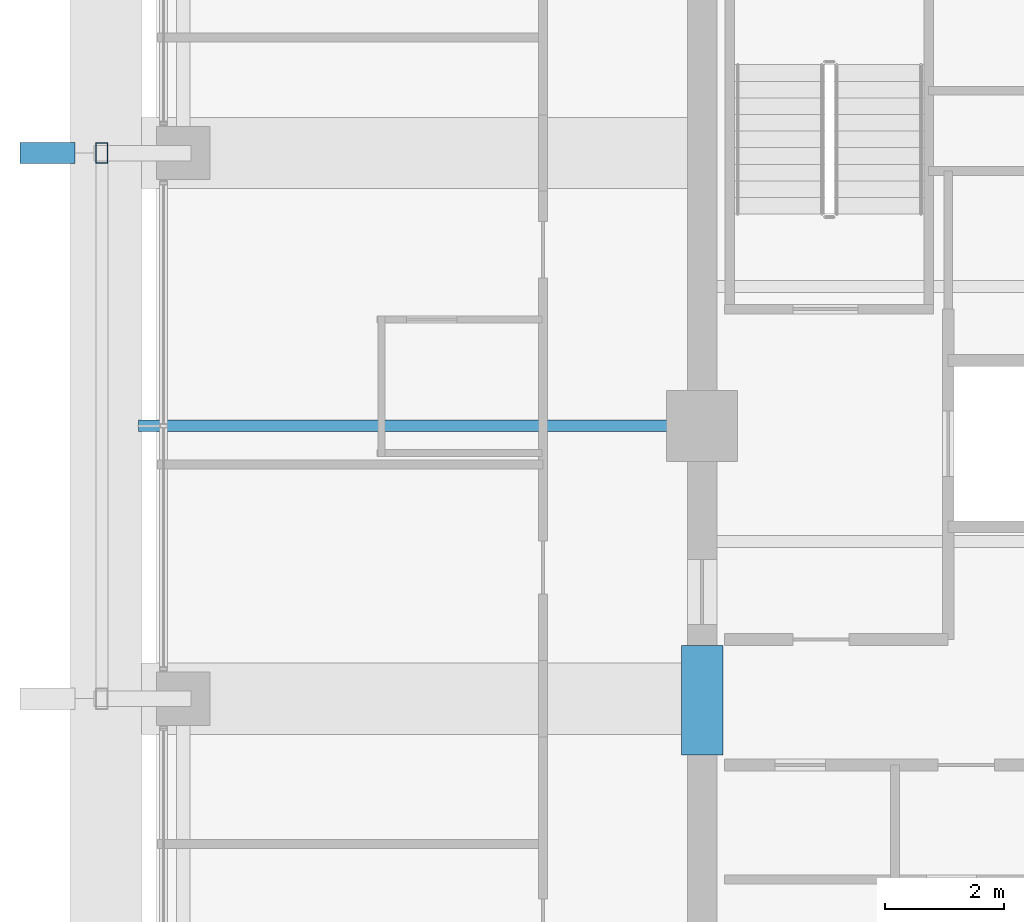
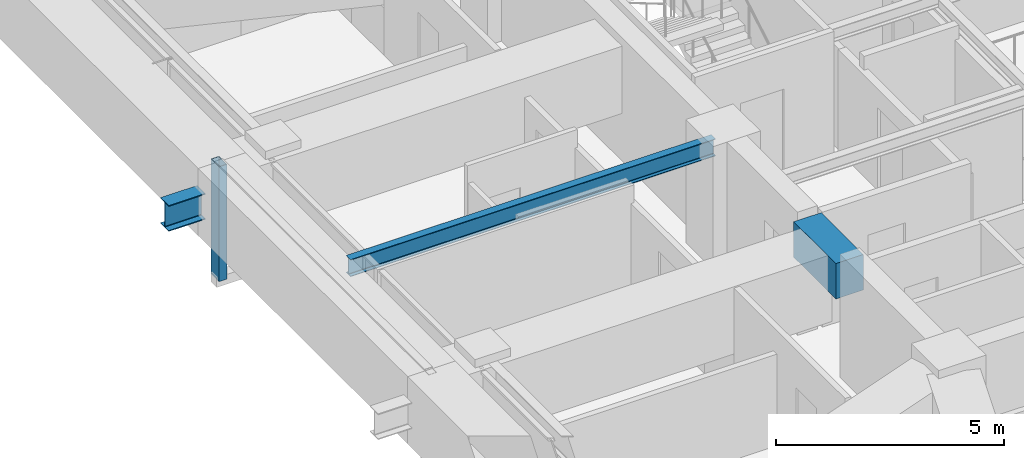
# One storey, part 11 of 40: 3 beams, 1 member.
"""IFC4 building model written with IfcOpenShell, lengths in metres."""

from ifc_helpers import new_model, si_unit, direction, frame, origin, origin_2d, place, context, subcontext, project, spatial, rectangle, hollow_rectangle, i_section, extrude, material, material_profile, profile_set, type_object, element, save


model = new_model("IFC4")

# Units and contexts
model_context = context("Model", 3, precision=1e-05, world=origin(), true_north=direction((0.0, 1.0)))
body_context = subcontext(model_context, "Body", "Model", "MODEL_VIEW")
ifc_project = project(units=[si_unit("LENGTHUNIT", "METRE"), si_unit("AREAUNIT", "SQUARE_METRE"), si_unit("VOLUMEUNIT", "CUBIC_METRE"), si_unit("PLANEANGLEUNIT", "RADIAN"), si_unit("MASSUNIT", "GRAM", prefix="KILO")], contexts=[model_context])

# Site, building, storey
site_placement = place(None, origin())
site = spatial("IfcSite", under=ifc_project, at=site_placement, CompositionType="ELEMENT")
building_placement = place(site_placement, origin())
building = spatial("IfcBuilding", under=site, at=building_placement, Name="Kolvaren Belvedere", CompositionType="ELEMENT")
storey_placement = place(building_placement, frame((0.0, 0.0, 170.10009765625)))
storey = spatial("IfcBuildingStorey", under=building, at=storey_placement, Name="L49", CompositionType="ELEMENT", Elevation=170.10009765625)

# Beams
ifc_material_1 = material(Name="Structural steel ASTM A992 Grade 50", Category="steel")
ifc_material_profile_1 = material_profile(ifc_material_1, i_section(OverallWidth=0.35498046875, OverallDepth=0.696044921875, WebThickness=0.015380859375, FlangeThickness=0.02490234375, FilletRadius=0.02197265625, at=origin_2d()), Name="W27X146")
ifc_profile_set_1 = profile_set([ifc_material_profile_1], Name="Structural steel ASTM A992 Grade 50")
beam_type_1 = type_object("IfcBeamType", Name="BM-CANT-BAL", PredefinedType="BEAM", material=ifc_profile_set_1)
beam_1_placement = place(storey_placement, frame((-20.469970703125, 4.60009765625, 2.141845703125), z_axis=(-1.0, 0.0, 0.0), x_axis=(0.0, -1.0, 0.0)))
element("IfcBeam", 1, at=beam_1_placement, inside=storey, type_object=beam_type_1, Name="L49 West Picture-Frame Column Corbel P", PredefinedType="BEAM", context=body_context, shape_type="SweptSolid", body=[
    extrude(i_section(OverallWidth=0.35498046875, OverallDepth=0.696044921875, WebThickness=0.015380859375, FlangeThickness=0.02490234375, FilletRadius=0.02197265625, at=origin_2d()), origin(), (0.0, 0.0, 1.0), 0.929931640625),
])
ifc_material_2 = material(Name="Structural steel ASTM A992 Grade 50", Category="steel")
ifc_material_profile_2 = material_profile(ifc_material_2, i_section(OverallWidth=0.19091796875, OverallDepth=0.4599609375, WebThickness=0.010009765625, FlangeThickness=0.01611328125, FilletRadius=0.014892578125, at=origin_2d()), Name="W18X55")
ifc_profile_set_2 = profile_set([ifc_material_profile_2], Name="Structural steel ASTM A992 Grade 50")
beam_type_2 = type_object("IfcBeamType", Name="BM-JOIST-W18X55", PredefinedType="BEAM", material=ifc_profile_set_2)
beam_2_placement = place(storey_placement, frame((-10.14990234375, 0.0, 2.849853515625), z_axis=(-1.0, 0.0, 0.0), x_axis=(0.0, -1.0, 0.0)))
element("IfcBeam", 2, at=beam_2_placement, inside=storey, type_object=beam_type_2, Name="L49 West Centre Floor Beam", PredefinedType="BEAM", context=body_context, shape_type="SweptSolid", body=[
    extrude(i_section(OverallWidth=0.19091796875, OverallDepth=0.4599609375, WebThickness=0.010009765625, FlangeThickness=0.01611328125, FilletRadius=0.014892578125, at=origin_2d()), origin(), (0.0, 0.0, 1.0), 9.25),
])
ifc_material_3 = material(Name="Concrete C60/75", Category="concrete")
ifc_material_profile_3 = material_profile(ifc_material_3, rectangle(XDim=0.699951171875, YDim=0.949951171875, at=origin_2d()), Name="RC 700X950")
ifc_profile_set_3 = profile_set([ifc_material_profile_3], Name="Concrete C60/75")
beam_type_3 = type_object("IfcBeamType", Name="BM-LINT-950", PredefinedType="LINTEL", material=ifc_profile_set_3)
beam_3_placement = place(storey_placement, frame((-9.89990234375, -5.550048828125, 2.60498046875), z_axis=(0.0, 1.0, 0.0), x_axis=(-1.0, 0.0, 0.0)))
element("IfcBeam", 3, at=beam_3_placement, inside=storey, type_object=beam_type_3, Name="L49 West Core Coupling Lintel", PredefinedType="LINTEL", context=body_context, shape_type="SweptSolid", body=[
    extrude(rectangle(XDim=0.699951171875, YDim=0.949951171875, at=origin_2d()), origin(), (0.0, 0.0, 1.0), 1.85009765625),
])

# Member
ifc_material_4 = material(Name="Anodised pale-metal aluminium AA 6063-T6", Category="aluminium")
ifc_material_profile_4 = material_profile(ifc_material_4, hollow_rectangle(XDim=0.199951171875, YDim=0.35009765625, WallThickness=0.007568359375, at=origin_2d()), Name="ALU-PF-350X200")
ifc_profile_set_4 = profile_set([ifc_material_profile_4], Name="Anodised pale-metal aluminium AA 6063-T6")
member_type = type_object("IfcMemberType", Name="PF-FRAME-350", PredefinedType="USERDEFINED", material=ifc_profile_set_4)
member_placement = place(storey_placement, frame((-20.02001953125, 4.60009765625, 0.0), z_axis=(0.0, 0.0, 1.0), x_axis=(1.0, 0.0, 0.0)))
element("IfcMember", 4, at=member_placement, inside=storey, type_object=member_type, Name="L49 Outboard Picture-Frame Vertical W2", ObjectType="PICTURE FRAME FIN", PredefinedType="USERDEFINED", context=body_context, shape_type="SweptSolid", body=[
    extrude(hollow_rectangle(XDim=0.199951171875, YDim=0.35009765625, WallThickness=0.007568359375, at=origin_2d()), origin(), (0.0, 0.0, 1.0), 3.079833984375),
])

save(model, "model.ifc")
